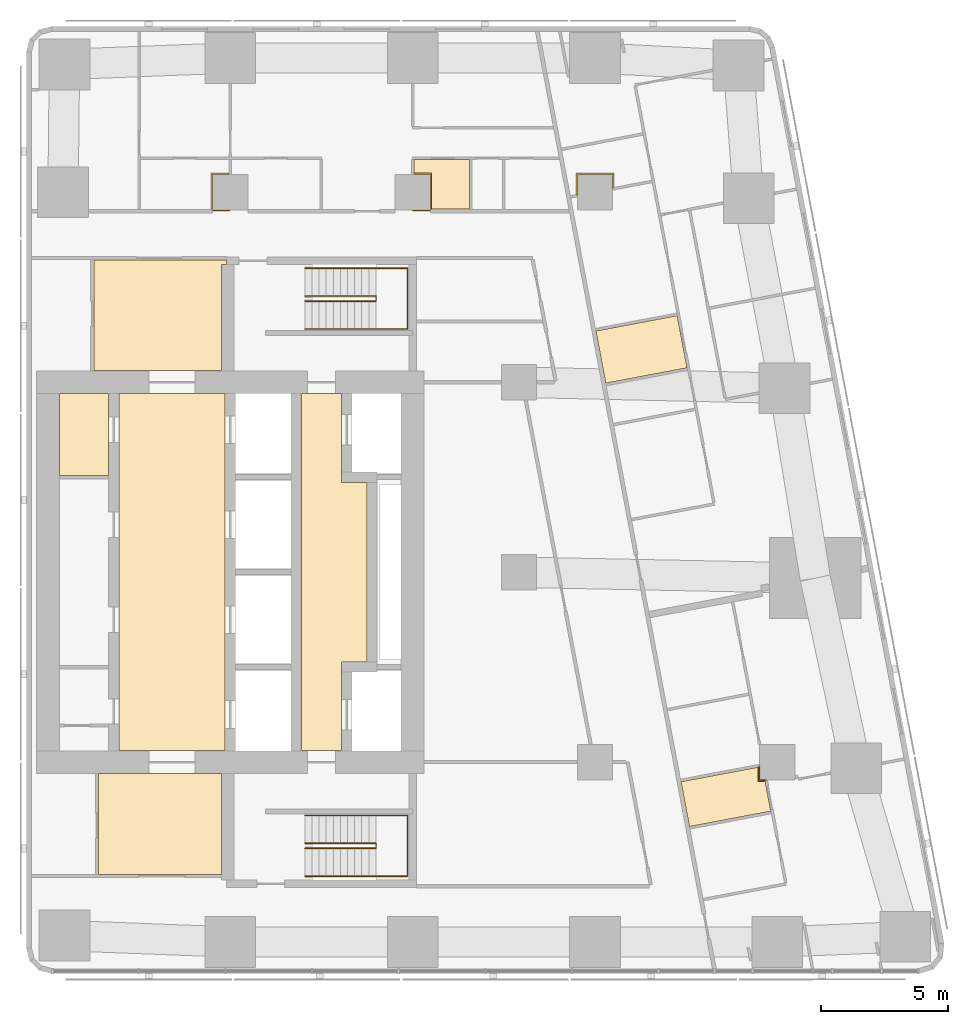
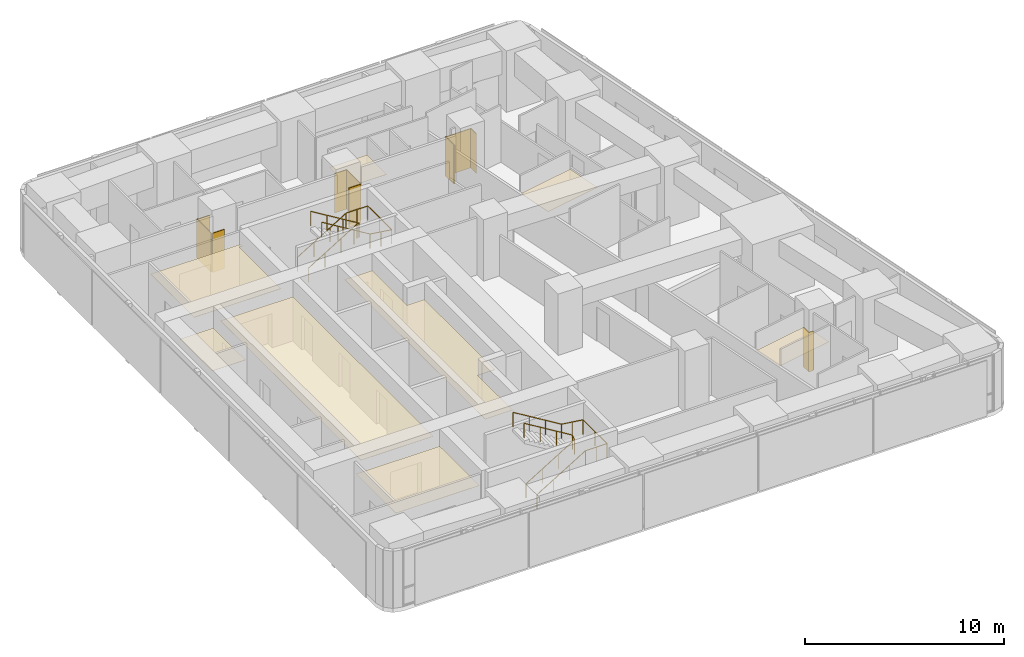
# One storey, part 10 of 10: 12 coverings, 4 railings.
"""IFC4 building model written with IfcOpenShell, lengths in metres."""

from ifc_helpers import new_model, si_unit, direction, frame, origin, origin_2d, place, context, subcontext, project, spatial, polyline, circle, outline, extrude, material, layer, layer_set, type_object, element, save


model = new_model("IFC4")

# Units and contexts
model_context = context("Model", 3, precision=1e-05, world=origin(), true_north=direction((0.0, 1.0)))
body_context = subcontext(model_context, "Body", "Model", "MODEL_VIEW")
ifc_project = project(units=[si_unit("LENGTHUNIT", "METRE"), si_unit("AREAUNIT", "SQUARE_METRE"), si_unit("VOLUMEUNIT", "CUBIC_METRE"), si_unit("PLANEANGLEUNIT", "RADIAN"), si_unit("MASSUNIT", "GRAM", prefix="KILO")], contexts=[model_context])

# Site, building, storey
site_placement = place(None, origin())
site = spatial("IfcSite", under=ifc_project, at=site_placement, CompositionType="ELEMENT")
building_placement = place(site_placement, origin())
building = spatial("IfcBuilding", under=site, at=building_placement, Name="Sheger Commons Tower", CompositionType="ELEMENT")
storey_placement = place(building_placement, frame((0.0, 0.0, 285.35009765625)))
storey = spatial("IfcBuildingStorey", under=building, at=storey_placement, Name="L73", CompositionType="ELEMENT", Elevation=285.35009765625)

# Railings
ifc_material_1 = material(Name="Steel handrail, black powder-coated", Category="steel")
railing_type = type_object("IfcRailingType", Name="HANDRAIL 900", PredefinedType="HANDRAIL", material=ifc_material_1)
railing_1_placement = place(storey_placement, frame((24.550048828125, 11.60009765625, 0.17041015625)))
element("IfcRailing", 1, at=railing_1_placement, inside=storey, type_object=railing_type, Name="Stair S1 handrail L73", PredefinedType="HANDRAIL", context=body_context, shape_type="SweptSolid", body=[
    extrude(circle(Radius=0.02392578125, at=origin_2d()), frame((0.0, 0.0, 0.8759765625), z_axis=(0.854169791009, 0.0, 0.51999420009), x_axis=(0.0, 1.0, 0.0)), (0.0, 0.0, 1.0), 3.278076171875),
    extrude(circle(Radius=0.02392578125, at=origin_2d()), frame((2.800048828125, 0.0, 2.58056640625), z_axis=(0.0, 0.761090297175, 0.648645943136), x_axis=(-1.0, 0.0, 0.0)), (0.0, 0.0, 1.0), 0.2626953125),
    extrude(circle(Radius=0.02392578125, at=origin_2d()), frame((2.800048828125, 0.199951171875, 2.7509765625), z_axis=(-0.854169791009, 0.0, 0.51999420009), x_axis=(0.0, -1.0, 0.0)), (0.0, 0.0, 1.0), 3.278076171875),
    extrude(circle(Radius=0.02099609375, at=origin_2d()), origin(), (0.0, 0.0, 1.0), 0.851806640625),
    extrude(circle(Radius=0.02099609375, at=origin_2d()), frame((0.933349609375, 0.0, 0.568115234375)), (0.0, 0.0, 1.0), 0.851806640625),
    extrude(circle(Radius=0.02099609375, at=origin_2d()), frame((1.86669921875, 0.0, 1.136474609375)), (0.0, 0.0, 1.0), 0.851806640625),
    extrude(circle(Radius=0.02099609375, at=origin_2d()), frame((2.800048828125, 0.0, 1.70458984375)), (0.0, 0.0, 1.0), 0.851806640625),
    extrude(circle(Radius=0.02099609375, at=origin_2d()), frame((2.800048828125, 0.199951171875, 1.875)), (0.0, 0.0, 1.0), 0.851806640625),
    extrude(circle(Radius=0.02099609375, at=origin_2d()), frame((1.86669921875, 0.199951171875, 2.443115234375)), (0.0, 0.0, 1.0), 0.851806640625),
    extrude(circle(Radius=0.02099609375, at=origin_2d()), frame((0.933349609375, 0.199951171875, 3.011474609375)), (0.0, 0.0, 1.0), 0.851806640625),
    extrude(circle(Radius=0.02099609375, at=origin_2d()), frame((0.0, 0.199951171875, 3.57958984375)), (0.0, 0.0, 1.0), 0.851806640625),
])
railing_2_placement = place(storey_placement, frame((24.550048828125, 10.5, 0.17041015625)))
element("IfcRailing", 2, at=railing_2_placement, inside=storey, type_object=railing_type, Name="Stair S1 handrail L73", PredefinedType="HANDRAIL", context=body_context, shape_type="SweptSolid", body=[
    extrude(circle(Radius=0.02392578125, at=origin_2d()), frame((0.0, 0.0, 0.8759765625), z_axis=(0.854169791009, 0.0, 0.51999420009), x_axis=(0.0, 1.0, 0.0)), (0.0, 0.0, 1.0), 3.278076171875),
    extrude(circle(Radius=0.02392578125, at=origin_2d()), frame((2.800048828125, 0.0, 2.58056640625), z_axis=(1.0, 0.0, 0.0), x_axis=(0.0, 1.0, 0.0)), (0.0, 0.0, 1.0), 1.25),
    extrude(circle(Radius=0.02392578125, at=origin_2d()), frame((4.050048828125, 0.0, 2.58056640625), z_axis=(0.0, 1.0, 0.0), x_axis=(-1.0, 0.0, 0.0)), (0.0, 0.0, 1.0), 2.39990234375),
    extrude(circle(Radius=0.02392578125, at=origin_2d()), frame((4.050048828125, 2.39990234375, 2.58056640625), z_axis=(-0.990834877927, 0.0, 0.135078661092), x_axis=(0.0, -1.0, 0.0)), (0.0, 0.0, 1.0), 1.261474609375),
    extrude(circle(Radius=0.02392578125, at=origin_2d()), frame((2.800048828125, 2.39990234375, 2.7509765625), z_axis=(-0.854169791009, 0.0, 0.51999420009), x_axis=(0.0, -1.0, 0.0)), (0.0, 0.0, 1.0), 3.278076171875),
    extrude(circle(Radius=0.02099609375, at=origin_2d()), origin(), (0.0, 0.0, 1.0), 0.851806640625),
    extrude(circle(Radius=0.02099609375, at=origin_2d()), frame((0.933349609375, 0.0, 0.568115234375)), (0.0, 0.0, 1.0), 0.851806640625),
    extrude(circle(Radius=0.02099609375, at=origin_2d()), frame((1.86669921875, 0.0, 1.136474609375)), (0.0, 0.0, 1.0), 0.851806640625),
    extrude(circle(Radius=0.02099609375, at=origin_2d()), frame((2.800048828125, 0.0, 1.70458984375)), (0.0, 0.0, 1.0), 0.851806640625),
    extrude(circle(Radius=0.02099609375, at=origin_2d()), frame((3.425048828125, 0.0, 1.70458984375)), (0.0, 0.0, 1.0), 0.851806640625),
    extrude(circle(Radius=0.02099609375, at=origin_2d()), frame((4.050048828125, 0.0, 1.70458984375)), (0.0, 0.0, 1.0), 0.851806640625),
    extrude(circle(Radius=0.02099609375, at=origin_2d()), frame((4.050048828125, 1.199951171875, 1.70458984375)), (0.0, 0.0, 1.0), 0.851806640625),
    extrude(circle(Radius=0.02099609375, at=origin_2d()), frame((4.050048828125, 2.39990234375, 1.70458984375)), (0.0, 0.0, 1.0), 0.851806640625),
    extrude(circle(Radius=0.02099609375, at=origin_2d()), frame((3.425048828125, 2.39990234375, 1.789794921875)), (0.0, 0.0, 1.0), 0.851806640625),
    extrude(circle(Radius=0.02099609375, at=origin_2d()), frame((2.800048828125, 2.39990234375, 1.875)), (0.0, 0.0, 1.0), 0.851806640625),
    extrude(circle(Radius=0.02099609375, at=origin_2d()), frame((1.86669921875, 2.39990234375, 2.443115234375)), (0.0, 0.0, 1.0), 0.851806640625),
    extrude(circle(Radius=0.02099609375, at=origin_2d()), frame((0.933349609375, 2.39990234375, 3.011474609375)), (0.0, 0.0, 1.0), 0.851806640625),
    extrude(circle(Radius=0.02099609375, at=origin_2d()), frame((0.0, 2.39990234375, 3.57958984375)), (0.0, 0.0, 1.0), 0.851806640625),
])
railing_3_placement = place(storey_placement, frame((24.550048828125, 33.39990234375, 0.17041015625)))
element("IfcRailing", 3, at=railing_3_placement, inside=storey, type_object=railing_type, Name="Stair S2 handrail L73", PredefinedType="HANDRAIL", context=body_context, shape_type="SweptSolid", body=[
    extrude(circle(Radius=0.02392578125, at=origin_2d()), frame((0.0, 0.0, 0.8759765625), z_axis=(0.854169791009, 0.0, 0.51999420009), x_axis=(0.0, 1.0, 0.0)), (0.0, 0.0, 1.0), 3.278076171875),
    extrude(circle(Radius=0.02392578125, at=origin_2d()), frame((2.800048828125, 0.0, 2.58056640625), z_axis=(0.0, -0.761090297175, 0.648645943136), x_axis=(1.0, 0.0, 0.0)), (0.0, 0.0, 1.0), 0.2626953125),
    extrude(circle(Radius=0.02392578125, at=origin_2d()), frame((2.800048828125, -0.199951171875, 2.7509765625), z_axis=(-0.854169791009, 0.0, 0.51999420009), x_axis=(0.0, -1.0, 0.0)), (0.0, 0.0, 1.0), 3.278076171875),
    extrude(circle(Radius=0.02099609375, at=origin_2d()), origin(), (0.0, 0.0, 1.0), 0.851806640625),
    extrude(circle(Radius=0.02099609375, at=origin_2d()), frame((0.933349609375, 0.0, 0.568115234375)), (0.0, 0.0, 1.0), 0.851806640625),
    extrude(circle(Radius=0.02099609375, at=origin_2d()), frame((1.86669921875, 0.0, 1.136474609375)), (0.0, 0.0, 1.0), 0.851806640625),
    extrude(circle(Radius=0.02099609375, at=origin_2d()), frame((2.800048828125, 0.0, 1.70458984375)), (0.0, 0.0, 1.0), 0.851806640625),
    extrude(circle(Radius=0.02099609375, at=origin_2d()), frame((2.800048828125, -0.199951171875, 1.875)), (0.0, 0.0, 1.0), 0.851806640625),
    extrude(circle(Radius=0.02099609375, at=origin_2d()), frame((1.86669921875, -0.199951171875, 2.443115234375)), (0.0, 0.0, 1.0), 0.851806640625),
    extrude(circle(Radius=0.02099609375, at=origin_2d()), frame((0.933349609375, -0.199951171875, 3.011474609375)), (0.0, 0.0, 1.0), 0.851806640625),
    extrude(circle(Radius=0.02099609375, at=origin_2d()), frame((0.0, -0.199951171875, 3.57958984375)), (0.0, 0.0, 1.0), 0.851806640625),
])
railing_4_placement = place(storey_placement, frame((24.550048828125, 34.5, 0.17041015625)))
element("IfcRailing", 4, at=railing_4_placement, inside=storey, type_object=railing_type, Name="Stair S2 handrail L73", PredefinedType="HANDRAIL", context=body_context, shape_type="SweptSolid", body=[
    extrude(circle(Radius=0.02392578125, at=origin_2d()), frame((0.0, 0.0, 0.8759765625), z_axis=(0.854169791009, 0.0, 0.51999420009), x_axis=(0.0, 1.0, 0.0)), (0.0, 0.0, 1.0), 3.278076171875),
    extrude(circle(Radius=0.02392578125, at=origin_2d()), frame((2.800048828125, 0.0, 2.58056640625), z_axis=(1.0, 0.0, 0.0), x_axis=(0.0, 1.0, 0.0)), (0.0, 0.0, 1.0), 1.25),
    extrude(circle(Radius=0.02392578125, at=origin_2d()), frame((4.050048828125, 0.0, 2.58056640625), z_axis=(0.0, -1.0, 0.0), x_axis=(1.0, 0.0, 0.0)), (0.0, 0.0, 1.0), 2.39990234375),
    extrude(circle(Radius=0.02392578125, at=origin_2d()), frame((4.050048828125, -2.39990234375, 2.58056640625), z_axis=(-0.990834877927, 0.0, 0.135078661092), x_axis=(0.0, -1.0, 0.0)), (0.0, 0.0, 1.0), 1.261474609375),
    extrude(circle(Radius=0.02392578125, at=origin_2d()), frame((2.800048828125, -2.39990234375, 2.7509765625), z_axis=(-0.854169791009, 0.0, 0.51999420009), x_axis=(0.0, -1.0, 0.0)), (0.0, 0.0, 1.0), 3.278076171875),
    extrude(circle(Radius=0.02099609375, at=origin_2d()), origin(), (0.0, 0.0, 1.0), 0.851806640625),
    extrude(circle(Radius=0.02099609375, at=origin_2d()), frame((0.933349609375, 0.0, 0.568115234375)), (0.0, 0.0, 1.0), 0.851806640625),
    extrude(circle(Radius=0.02099609375, at=origin_2d()), frame((1.86669921875, 0.0, 1.136474609375)), (0.0, 0.0, 1.0), 0.851806640625),
    extrude(circle(Radius=0.02099609375, at=origin_2d()), frame((2.800048828125, 0.0, 1.70458984375)), (0.0, 0.0, 1.0), 0.851806640625),
    extrude(circle(Radius=0.02099609375, at=origin_2d()), frame((3.425048828125, 0.0, 1.70458984375)), (0.0, 0.0, 1.0), 0.851806640625),
    extrude(circle(Radius=0.02099609375, at=origin_2d()), frame((4.050048828125, 0.0, 1.70458984375)), (0.0, 0.0, 1.0), 0.851806640625),
    extrude(circle(Radius=0.02099609375, at=origin_2d()), frame((4.050048828125, -1.199951171875, 1.70458984375)), (0.0, 0.0, 1.0), 0.851806640625),
    extrude(circle(Radius=0.02099609375, at=origin_2d()), frame((4.050048828125, -2.39990234375, 1.70458984375)), (0.0, 0.0, 1.0), 0.851806640625),
    extrude(circle(Radius=0.02099609375, at=origin_2d()), frame((3.425048828125, -2.39990234375, 1.789794921875)), (0.0, 0.0, 1.0), 0.851806640625),
    extrude(circle(Radius=0.02099609375, at=origin_2d()), frame((2.800048828125, -2.39990234375, 1.875)), (0.0, 0.0, 1.0), 0.851806640625),
    extrude(circle(Radius=0.02099609375, at=origin_2d()), frame((1.86669921875, -2.39990234375, 2.443115234375)), (0.0, 0.0, 1.0), 0.851806640625),
    extrude(circle(Radius=0.02099609375, at=origin_2d()), frame((0.933349609375, -2.39990234375, 3.011474609375)), (0.0, 0.0, 1.0), 0.851806640625),
    extrude(circle(Radius=0.02099609375, at=origin_2d()), frame((0.0, -2.39990234375, 3.57958984375)), (0.0, 0.0, 1.0), 0.851806640625),
])

# Coverings
ifc_material_2 = material(Name="Moisture-resistant gypsum plasterboard 15 mm on a suspended galvanised steel grid", Category="steel")
ifc_layer_1 = layer(ifc_material_2, 0.014892578125)
ifc_layer_set_1 = layer_set([ifc_layer_1], Name="MOISTURE-RESISTANT CEILING 15")
covering_type_1 = type_object("IfcCoveringType", Name="MOISTURE-RESISTANT CEILING 15", PredefinedType="CEILING", material=ifc_layer_set_1)
covering_1_placement = place(storey_placement, frame((0.0, 0.0, 2.39990234375)))
element("IfcCovering", 5, at=covering_1_placement, inside=storey, type_object=covering_type_1, Name="L73-01.B3 ceiling", PredefinedType="CEILING", context=body_context, shape_type="SweptSolid", body=[
    extrude(outline(polyline([(36.426025390625, 29.9619140625), (39.634033203125, 30.568115234375), (39.2451171875, 32.6279296875), (36.037109375, 32.02197265625), (36.426025390625, 29.9619140625)])), origin(), (0.0, 0.0, 1.0), 0.014892578125),
])
covering_2_placement = place(storey_placement, frame((0.0, 0.0, 2.39990234375)))
element("IfcCovering", 6, at=covering_2_placement, inside=storey, type_object=covering_type_1, Name="L73-02.B3 ceiling", PredefinedType="CEILING", context=body_context, shape_type="SweptSolid", body=[
    extrude(outline(polyline([(39.73193359375, 12.458984375), (42.93994140625, 13.06494140625), (42.7099609375, 14.284912109375), (42.7529296875, 14.29296875), (42.7529296875, 14.294921875), (42.4951171875, 14.294921875), (42.4951171875, 14.81103515625), (39.39794921875, 14.22607421875), (39.73193359375, 12.458984375)])), origin(), (0.0, 0.0, 1.0), 0.014892578125),
])
covering_3_placement = place(storey_placement, frame((0.0, 0.0, 2.39990234375)))
element("IfcCovering", 7, at=covering_3_placement, inside=storey, type_object=covering_type_1, Name="L73-03.B3 ceiling", PredefinedType="CEILING", context=body_context, shape_type="SweptSolid", body=[
    extrude(outline(polyline([(29.5048828125, 36.830078125), (31.044921875, 36.830078125), (31.044921875, 38.794921875), (28.85498046875, 38.794921875), (28.85498046875, 38.205078125), (29.5048828125, 38.205078125), (29.5048828125, 36.830078125)])), origin(), (0.0, 0.0, 1.0), 0.014892578125),
])
covering_4_placement = place(storey_placement, frame((0.0, 0.0, 2.39990234375)))
element("IfcCovering", 8, at=covering_4_placement, inside=storey, type_object=covering_type_1, Name="L73-CRB3 ceiling", PredefinedType="CEILING", context=body_context, shape_type="SweptSolid", body=[
    extrude(outline(polyline([(14.85498046875, 26.31689453125), (16.794921875, 26.31689453125), (16.794921875, 29.544921875), (14.85498046875, 29.544921875), (14.85498046875, 26.31689453125)])), origin(), (0.0, 0.0, 1.0), 0.014892578125),
])
ifc_material_3 = material(Name="Gypsum plasterboard 15 mm on a suspended steel grid", Category="steel")
ifc_layer_2 = layer(ifc_material_3, 0.014892578125)
ifc_layer_set_2 = layer_set([ifc_layer_2], Name="SUSPENDED CEILING 15")
covering_type_2 = type_object("IfcCoveringType", Name="SUSPENDED CEILING 15", PredefinedType="CEILING", material=ifc_layer_set_2)
covering_5_placement = place(storey_placement, frame((0.0, 0.0, 2.699951171875)))
element("IfcCovering", 9, at=covering_5_placement, inside=storey, type_object=covering_type_2, Name="L73-SVS1 ceiling", PredefinedType="CEILING", context=body_context, shape_type="SweptSolid", body=[
    extrude(outline(polyline([(16.406982421875, 10.568115234375), (21.2451171875, 10.568115234375), (21.2451171875, 14.544921875), (16.406982421875, 14.544921875), (16.406982421875, 10.568115234375)])), origin(), (0.0, 0.0, 1.0), 0.014892578125),
])
covering_6_placement = place(storey_placement, frame((0.0, 0.0, 2.699951171875)))
element("IfcCovering", 10, at=covering_6_placement, inside=storey, type_object=covering_type_2, Name="L73-SVN1 ceiling", PredefinedType="CEILING", context=body_context, shape_type="SweptSolid", body=[
    extrude(outline(polyline([(16.217041015625, 30.455078125), (21.2451171875, 30.455078125), (21.2451171875, 34.655029296875), (21.445068359375, 34.655029296875), (21.445068359375, 34.83203125), (16.217041015625, 34.83203125), (16.217041015625, 30.455078125)])), origin(), (0.0, 0.0, 1.0), 0.014892578125),
])
covering_7_placement = place(storey_placement, frame((0.0, 0.0, 2.699951171875)))
element("IfcCovering", 11, at=covering_7_placement, inside=storey, type_object=covering_type_2, Name="L73-LL ceiling", PredefinedType="CEILING", context=body_context, shape_type="SweptSolid", body=[
    extrude(outline(polyline([(17.205078125, 15.455078125), (21.39990234375, 15.455078125), (21.39990234375, 29.544921875), (17.205078125, 29.544921875), (17.205078125, 15.455078125)])), origin(), (0.0, 0.0, 1.0), 0.014892578125),
])
covering_8_placement = place(storey_placement, frame((0.0, 0.0, 2.699951171875)))
element("IfcCovering", 12, at=covering_8_placement, inside=storey, type_object=covering_type_2, Name="L73-FL ceiling", PredefinedType="CEILING", context=body_context, shape_type="SweptSolid", body=[
    extrude(outline(polyline([(24.405029296875, 15.455078125), (25.9951171875, 15.455078125), (25.9951171875, 18.955078125), (26.9951171875, 18.955078125), (26.9951171875, 26.044921875), (25.9951171875, 26.044921875), (25.9951171875, 29.544921875), (24.405029296875, 29.544921875), (24.405029296875, 15.455078125)])), origin(), (0.0, 0.0, 1.0), 0.014892578125),
])
ifc_material_4 = material(Name="Moisture-resistant gypsum board 12.5 mm on 25 mm treated timber battens, tanked and tiled", Category="wood")
ifc_layer_3 = layer(ifc_material_4, 0.050048828125)
ifc_layer_set_3 = layer_set([ifc_layer_3], Name="WET-ROOM COLUMN LINING")
covering_type_3 = type_object("IfcCoveringType", Name="WET-ROOM COLUMN LINING", PredefinedType="CLADDING", material=ifc_layer_set_3)
covering_9_placement = place(storey_placement, origin())
element("IfcCovering", 13, at=covering_9_placement, inside=storey, type_object=covering_type_3, Name="Bathroom column lining C11 L73", PredefinedType="CLADDING", context=body_context, shape_type="SweptSolid", body=[
    extrude(outline(polyline([(42.5, 14.866943359375), (42.5, 14.300048828125), (42.763916015625, 14.300048828125), (42.76611328125, 14.2900390625), (42.716064453125, 14.281005859375), (42.721923828125, 14.25), (42.449951171875, 14.25), (42.449951171875, 14.80810546875), (42.4990234375, 14.81689453125), (42.489990234375, 14.864990234375), (42.5, 14.866943359375)])), origin(), (0.0, 0.0, 1.0), 2.39990234375),
])
covering_10_placement = place(storey_placement, origin())
element("IfcCovering", 14, at=covering_10_placement, inside=storey, type_object=covering_type_3, Name="En-suite column lining C11 L73", PredefinedType="CLADDING", context=body_context, shape_type="SweptSolid", body=[
    extrude(outline(polyline([(21.550048828125, 38.25), (21.550048828125, 38.200927734375), (21.60009765625, 38.200927734375), (21.60009765625, 38.199951171875), (20.89990234375, 38.199951171875), (20.89990234375, 36.800048828125), (21.60009765625, 36.800048828125), (21.60009765625, 36.75), (20.89892578125, 36.75), (20.89892578125, 36.824951171875), (20.85009765625, 36.824951171875), (20.85009765625, 38.25), (21.550048828125, 38.25)])), origin(), (0.0, 0.0, 1.0), 2.39990234375),
])
covering_11_placement = place(storey_placement, origin())
element("IfcCovering", 15, at=covering_11_placement, inside=storey, type_object=covering_type_3, Name="Bathroom column lining C11 L73", PredefinedType="CLADDING", context=body_context, shape_type="SweptSolid", body=[
    extrude(outline(polyline([(29.550048828125, 36.824951171875), (29.5009765625, 36.824951171875), (29.5009765625, 36.75), (28.800048828125, 36.75), (28.800048828125, 36.800048828125), (29.5, 36.800048828125), (29.5, 38.199951171875), (28.800048828125, 38.199951171875), (28.800048828125, 38.200927734375), (28.85009765625, 38.200927734375), (28.85009765625, 38.25), (29.550048828125, 38.25), (29.550048828125, 36.824951171875)])), origin(), (0.0, 0.0, 1.0), 2.39990234375),
])
covering_12_placement = place(storey_placement, origin())
element("IfcCovering", 16, at=covering_12_placement, inside=storey, type_object=covering_type_3, Name="En-suite column lining C11 L73", PredefinedType="CLADDING", context=body_context, shape_type="SweptSolid", body=[
    extrude(outline(polyline([(36.75, 38.25), (36.75, 37.69189453125), (36.700927734375, 37.68310546875), (36.7099609375, 37.635009765625), (36.699951171875, 37.633056640625), (36.699951171875, 38.199951171875), (35.300048828125, 38.199951171875), (35.300048828125, 37.367919921875), (35.2900390625, 37.365966796875), (35.281005859375, 37.4150390625), (35.25, 37.408935546875), (35.25, 38.25), (36.75, 38.25)])), origin(), (0.0, 0.0, 1.0), 2.39990234375),
])

save(model, "model.ifc")
